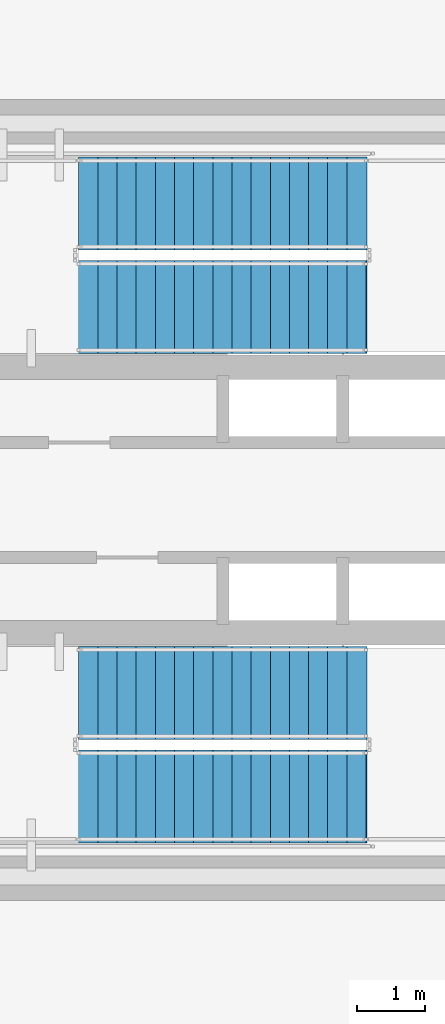
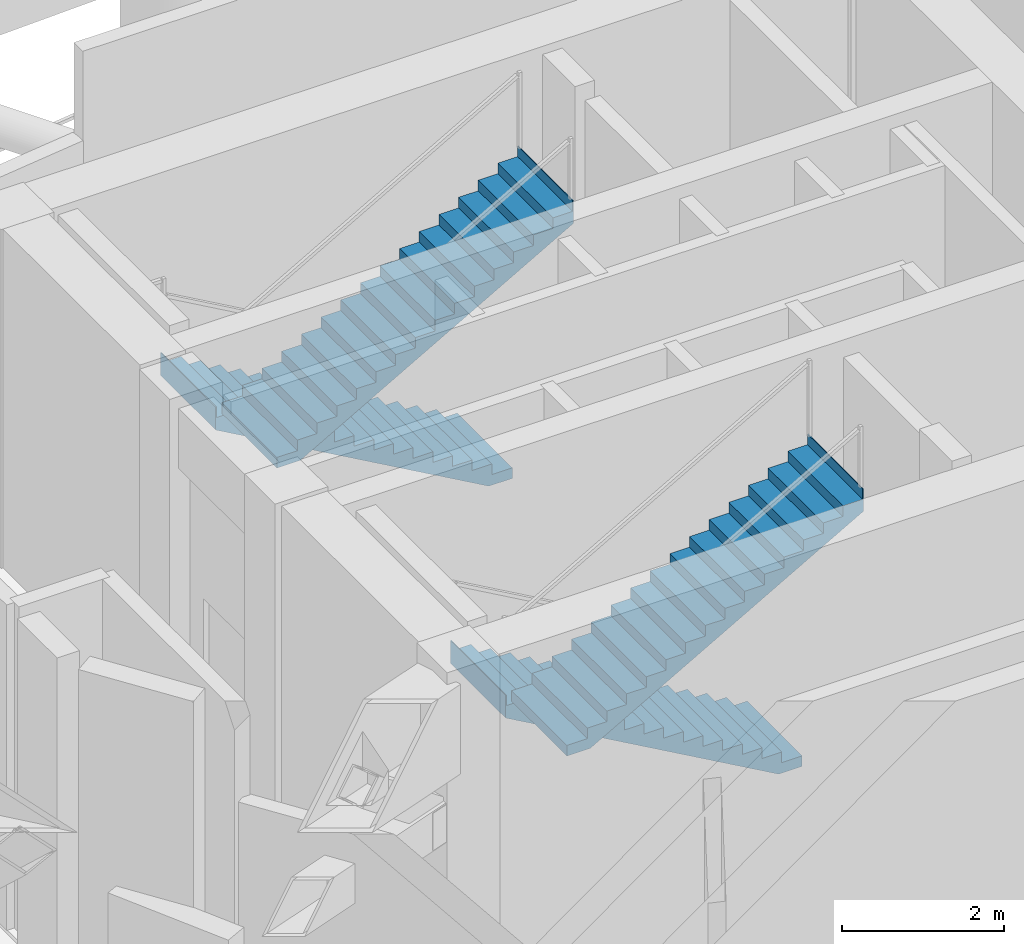
# One storey, part 5 of 10: 4 stair flights, 2 elements without a shape of their own.
"""IFC4 building model written with IfcOpenShell, lengths in metres."""

from ifc_helpers import new_model, si_unit, direction, frame, origin, place, context, subcontext, project, spatial, polyline, outline, extrude, material, type_object, element, aggregate, save


model = new_model("IFC4")

# Units and contexts
model_context = context("Model", 3, precision=1e-05, world=origin(), true_north=direction((0.0, 1.0)))
body_context = subcontext(model_context, "Body", "Model", "MODEL_VIEW")
ifc_project = project(units=[si_unit("LENGTHUNIT", "METRE"), si_unit("AREAUNIT", "SQUARE_METRE"), si_unit("VOLUMEUNIT", "CUBIC_METRE"), si_unit("PLANEANGLEUNIT", "RADIAN"), si_unit("MASSUNIT", "GRAM", prefix="KILO")], contexts=[model_context])

# Site, building, storey
site_placement = place(None, origin())
site = spatial("IfcSite", under=ifc_project, at=site_placement, CompositionType="ELEMENT")
building_placement = place(site_placement, origin())
building = spatial("IfcBuilding", under=site, at=building_placement, Name="Yunling Apex Tower", CompositionType="ELEMENT")
storey_placement = place(building_placement, frame((0.0, 0.0, 186.35009765625)))
storey = spatial("IfcBuildingStorey", under=building, at=storey_placement, Name="RF5", CompositionType="ELEMENT", Elevation=186.35009765625)

# Stair, stair flights
ifc_material = material(Name="Concrete C40", Category="concrete")
stair_type = type_object("IfcStairType", Name="ST-TWR-1", PredefinedType="HALF_TURN_STAIR", material=ifc_material)
stair_1_placement = place(storey_placement, origin())
stair_1 = element("IfcStair", 1, at=stair_1_placement, inside=storey, type_object=stair_type, Name="RF5 North Core Smokeproof Exit Stair ST-1", PredefinedType="HALF_TURN_STAIR")
stair_flight_type = type_object("IfcStairFlightType", Name="SFL-TWR-1", PredefinedType="STRAIGHT", material=ifc_material)
stair_flight_1_placement = place(storey_placement, frame((-0.010009765625, 4.330078125, 0.0), z_axis=(0.0, 0.0, 1.0), x_axis=(-1.0, 0.0, 0.0)))
stair_flight_1 = element("IfcStairFlight", 2, at=stair_flight_1_placement, type_object=stair_flight_type, Name="ST-1 flight 1", NumberOfRisers=16, NumberOfTreads=15, PredefinedType="STRAIGHT", RiserHeight=0.159375, TreadLength=0.28, context=body_context, shape_type="SweptSolid", body=[
    extrude(outline(polyline([(-0.011962890625, 0.0), (-0.011962890625, 0.159423828125), (0.0, 0.159423828125), (0.280029296875, 0.159423828125), (0.280029296875, 0.31884765625), (0.56005859375, 0.31884765625), (0.56005859375, 0.47802734375), (0.840087890625, 0.47802734375), (0.840087890625, 0.637451171875), (1.1201171875, 0.637451171875), (1.1201171875, 0.796875), (1.39990234375, 0.796875), (1.39990234375, 0.956298828125), (1.679931640625, 0.956298828125), (1.679931640625, 1.11572265625), (1.9599609375, 1.11572265625), (1.9599609375, 1.27490234375), (2.239990234375, 1.27490234375), (2.239990234375, 1.434326171875), (2.52001953125, 1.434326171875), (2.52001953125, 1.59375), (2.800048828125, 1.59375), (2.800048828125, 1.753173828125), (3.080078125, 1.753173828125), (3.080078125, 1.91259765625), (3.360107421875, 1.91259765625), (3.360107421875, 2.07177734375), (3.639892578125, 2.07177734375), (3.639892578125, 2.231201171875), (3.919921875, 2.231201171875), (3.919921875, 2.390625), (4.199951171875, 2.390625), (4.199951171875, 2.550048828125), (4.2119140625, 2.550048828125), (4.2119140625, 2.20654296875), (0.3232421875, 0.0), (-0.011962890625, 0.0)])), frame((0.0, 0.68017578125, 0.0), z_axis=(0.0, -1.0, 0.0), x_axis=(1.0, 0.0, 0.0)), (0.0, 0.0, 1.0), 1.360107421875),
])
stair_flight_2_placement = place(storey_placement, frame((-4.2099609375, 2.820068359375, 2.5498046875), z_axis=(0.0, 0.0, 1.0), x_axis=(1.0, 0.0, 0.0)))
stair_flight_2 = element("IfcStairFlight", 3, at=stair_flight_2_placement, type_object=stair_flight_type, Name="ST-1 flight 2", NumberOfRisers=16, NumberOfTreads=15, PredefinedType="STRAIGHT", RiserHeight=0.159375, TreadLength=0.28, context=body_context, shape_type="SweptSolid", body=[
    extrude(outline(polyline([(-0.011962890625, 0.0), (-0.011962890625, 0.159423828125), (0.0, 0.159423828125), (0.280029296875, 0.159423828125), (0.280029296875, 0.31884765625), (0.56005859375, 0.31884765625), (0.56005859375, 0.47802734375), (0.840087890625, 0.47802734375), (0.840087890625, 0.637451171875), (1.1201171875, 0.637451171875), (1.1201171875, 0.796875), (1.39990234375, 0.796875), (1.39990234375, 0.956298828125), (1.679931640625, 0.956298828125), (1.679931640625, 1.11572265625), (1.9599609375, 1.11572265625), (1.9599609375, 1.27490234375), (2.239990234375, 1.27490234375), (2.239990234375, 1.434326171875), (2.52001953125, 1.434326171875), (2.52001953125, 1.59375), (2.800048828125, 1.59375), (2.800048828125, 1.753173828125), (3.080078125, 1.753173828125), (3.080078125, 1.91259765625), (3.360107421875, 1.91259765625), (3.360107421875, 2.07177734375), (3.639892578125, 2.07177734375), (3.639892578125, 2.231201171875), (3.919921875, 2.231201171875), (3.919921875, 2.390625), (4.199951171875, 2.390625), (4.199951171875, 2.550048828125), (4.2119140625, 2.550048828125), (4.2119140625, 2.20654296875), (0.3232421875, 0.0), (-0.011962890625, 0.0)])), frame((0.0, 0.68017578125, 0.0), z_axis=(0.0, -1.0, 0.0), x_axis=(1.0, 0.0, 0.0)), (0.0, 0.0, 1.0), 1.360107421875),
])
aggregate(stair_1, [stair_flight_1, stair_flight_2])

stair_2_placement = place(storey_placement, origin())
stair_2 = element("IfcStair", 4, at=stair_2_placement, inside=storey, type_object=stair_type, Name="RF5 South Core Smokeproof Exit Stair ST-2", PredefinedType="HALF_TURN_STAIR")
stair_flight_3_placement = place(storey_placement, frame((-0.010009765625, -2.820068359375, 0.0), z_axis=(0.0, 0.0, 1.0), x_axis=(-1.0, 0.0, 0.0)))
stair_flight_3 = element("IfcStairFlight", 5, at=stair_flight_3_placement, type_object=stair_flight_type, Name="ST-2 flight 1", NumberOfRisers=16, NumberOfTreads=15, PredefinedType="STRAIGHT", RiserHeight=0.159375, TreadLength=0.28, context=body_context, shape_type="SweptSolid", body=[
    extrude(outline(polyline([(-0.011962890625, 0.0), (-0.011962890625, 0.159423828125), (0.0, 0.159423828125), (0.280029296875, 0.159423828125), (0.280029296875, 0.31884765625), (0.56005859375, 0.31884765625), (0.56005859375, 0.47802734375), (0.840087890625, 0.47802734375), (0.840087890625, 0.637451171875), (1.1201171875, 0.637451171875), (1.1201171875, 0.796875), (1.39990234375, 0.796875), (1.39990234375, 0.956298828125), (1.679931640625, 0.956298828125), (1.679931640625, 1.11572265625), (1.9599609375, 1.11572265625), (1.9599609375, 1.27490234375), (2.239990234375, 1.27490234375), (2.239990234375, 1.434326171875), (2.52001953125, 1.434326171875), (2.52001953125, 1.59375), (2.800048828125, 1.59375), (2.800048828125, 1.753173828125), (3.080078125, 1.753173828125), (3.080078125, 1.91259765625), (3.360107421875, 1.91259765625), (3.360107421875, 2.07177734375), (3.639892578125, 2.07177734375), (3.639892578125, 2.231201171875), (3.919921875, 2.231201171875), (3.919921875, 2.390625), (4.199951171875, 2.390625), (4.199951171875, 2.550048828125), (4.2119140625, 2.550048828125), (4.2119140625, 2.20654296875), (0.3232421875, 0.0), (-0.011962890625, 0.0)])), frame((0.0, 0.68017578125, 0.0), z_axis=(0.0, -1.0, 0.0), x_axis=(1.0, 0.0, 0.0)), (0.0, 0.0, 1.0), 1.360107421875),
])
stair_flight_4_placement = place(storey_placement, frame((-4.2099609375, -4.330078125, 2.5498046875), z_axis=(0.0, 0.0, 1.0), x_axis=(1.0, 0.0, 0.0)))
stair_flight_4 = element("IfcStairFlight", 6, at=stair_flight_4_placement, type_object=stair_flight_type, Name="ST-2 flight 2", NumberOfRisers=16, NumberOfTreads=15, PredefinedType="STRAIGHT", RiserHeight=0.159375, TreadLength=0.28, context=body_context, shape_type="SweptSolid", body=[
    extrude(outline(polyline([(-0.011962890625, 0.0), (-0.011962890625, 0.159423828125), (0.0, 0.159423828125), (0.280029296875, 0.159423828125), (0.280029296875, 0.31884765625), (0.56005859375, 0.31884765625), (0.56005859375, 0.47802734375), (0.840087890625, 0.47802734375), (0.840087890625, 0.637451171875), (1.1201171875, 0.637451171875), (1.1201171875, 0.796875), (1.39990234375, 0.796875), (1.39990234375, 0.956298828125), (1.679931640625, 0.956298828125), (1.679931640625, 1.11572265625), (1.9599609375, 1.11572265625), (1.9599609375, 1.27490234375), (2.239990234375, 1.27490234375), (2.239990234375, 1.434326171875), (2.52001953125, 1.434326171875), (2.52001953125, 1.59375), (2.800048828125, 1.59375), (2.800048828125, 1.753173828125), (3.080078125, 1.753173828125), (3.080078125, 1.91259765625), (3.360107421875, 1.91259765625), (3.360107421875, 2.07177734375), (3.639892578125, 2.07177734375), (3.639892578125, 2.231201171875), (3.919921875, 2.231201171875), (3.919921875, 2.390625), (4.199951171875, 2.390625), (4.199951171875, 2.550048828125), (4.2119140625, 2.550048828125), (4.2119140625, 2.20654296875), (0.3232421875, 0.0), (-0.011962890625, 0.0)])), frame((0.0, 0.68017578125, 0.0), z_axis=(0.0, -1.0, 0.0), x_axis=(1.0, 0.0, 0.0)), (0.0, 0.0, 1.0), 1.360107421875),
])
aggregate(stair_2, [stair_flight_3, stair_flight_4])

save(model, "model.ifc")
